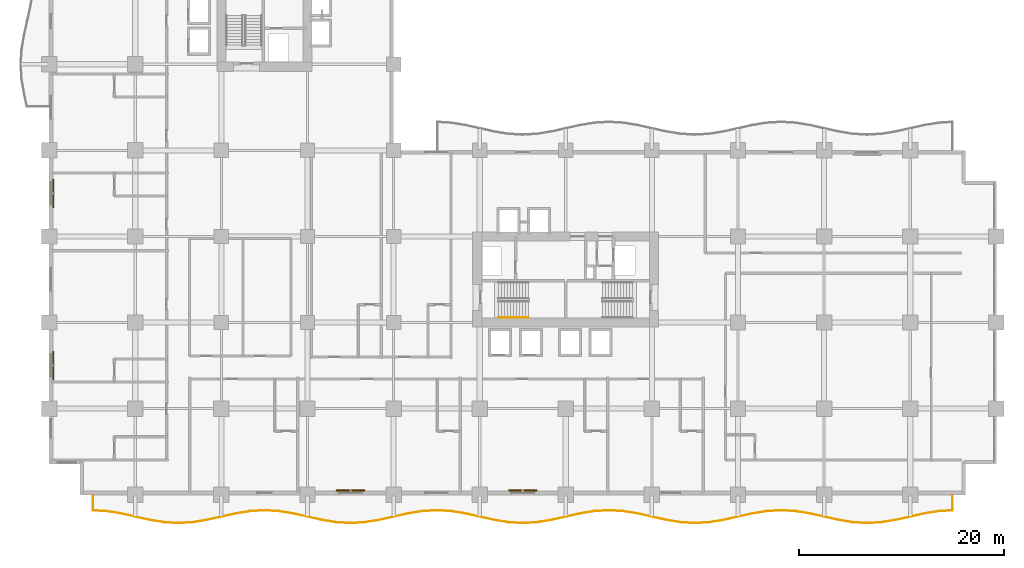
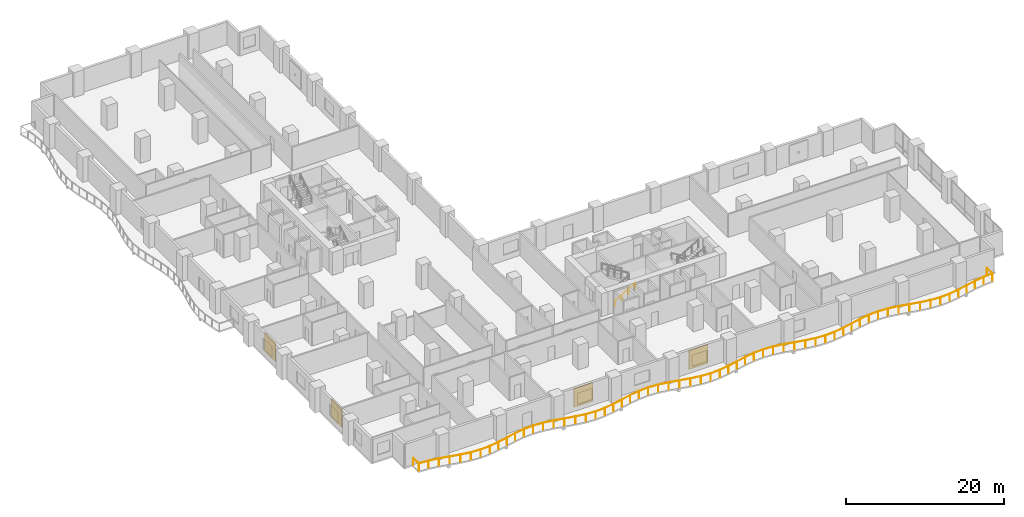
# One storey, part 24 of 27: 4 shading devices, 2 railings.
"""IFC4 building model written with IfcOpenShell, lengths in metres."""

from ifc_helpers import new_model, si_unit, direction, frame, origin, origin_2d, place, context, subcontext, project, spatial, rectangle, circle, extrude, material, layer, layer_set, type_object, element, save


model = new_model("IFC4")

# Units and contexts
model_context = context("Model", 3, precision=1e-05, world=origin(), true_north=direction((0.0, 1.0)))
body_context = subcontext(model_context, "Body", "Model", "MODEL_VIEW")
ifc_project = project(units=[si_unit("LENGTHUNIT", "METRE"), si_unit("AREAUNIT", "SQUARE_METRE"), si_unit("VOLUMEUNIT", "CUBIC_METRE"), si_unit("PLANEANGLEUNIT", "RADIAN"), si_unit("MASSUNIT", "GRAM", prefix="KILO")], contexts=[model_context])

# Site, building, storey
site_placement = place(None, origin())
site = spatial("IfcSite", under=ifc_project, at=site_placement, CompositionType="ELEMENT")
building_placement = place(site_placement, origin())
building = spatial("IfcBuilding", under=site, at=building_placement, Name="Koriwani Terraces Tower", CompositionType="ELEMENT")
storey_placement = place(building_placement, frame((0.0, 0.0, 70.0)))
storey = spatial("IfcBuildingStorey", under=building, at=storey_placement, Name="L16", CompositionType="ELEMENT", Elevation=70.0)

# Railings
ifc_material_1 = material(Name="Steel ASTM A572 Grade 50", Category="steel")
railing_type_1 = type_object("IfcRailingType", Name="GUARD_BALUSTRADE_1150", PredefinedType="BALUSTRADE", material=ifc_material_1)
railing_1_placement = place(storey_placement, frame((4.280029296875, -0.080078125, 0.0)))
element("IfcRailing", 1, at=railing_1_placement, inside=storey, type_object=railing_type_1, Name="L16 Balcony Perimeter Safety Balustrade (S)", PredefinedType="BALUSTRADE", context=body_context, shape_type="SweptSolid", body=[
    extrude(circle(Radius=0.02392578125, at=origin_2d()), frame((0.0, 0.0, 1.1259765625), z_axis=(0.0, -1.0, 0.0), x_axis=(1.0, 0.0, 0.0)), (0.0, 0.0, 1.0), 1.444580078125),
    extrude(circle(Radius=0.02392578125, at=origin_2d()), frame((0.0, -1.444580078125, 1.1259765625), z_axis=(0.998211199042, -0.059786303672, 0.0), x_axis=(0.059786303672, 0.998211199042, 0.0)), (0.0, 0.0, 1.0), 1.331298828125),
    extrude(circle(Radius=0.02392578125, at=origin_2d()), frame((1.328857421875, -1.524169921875, 1.1259765625), z_axis=(0.986916749742, -0.161230670401, 0.0), x_axis=(0.161230670401, 0.986916749742, 0.0)), (0.0, 0.0, 1.0), 1.4248046875),
    extrude(circle(Radius=0.02392578125, at=origin_2d()), frame((2.735107421875, -1.75390625, 1.1259765625), z_axis=(0.975982393728, -0.217849413893, 0.0), x_axis=(0.217849413893, 0.975982393728, 0.0)), (0.0, 0.0, 1.0), 2.868896484375),
    extrude(circle(Radius=0.02392578125, at=origin_2d()), frame((5.53515625, -2.37890625, 1.1259765625), z_axis=(0.986907622111, -0.161286532042, 0.0), x_axis=(0.161286532042, 0.986907622111, 0.0)), (0.0, 0.0, 1.0), 1.412353515625),
    extrude(circle(Radius=0.02392578125, at=origin_2d()), frame((6.928955078125, -2.606689453125, 1.1259765625), z_axis=(0.998214050326, -0.059738678687, 0.0), x_axis=(0.059738678687, 0.998214050326, 0.0)), (0.0, 0.0, 1.0), 1.3935546875),
    extrude(circle(Radius=0.02392578125, at=origin_2d()), frame((8.320068359375, -2.68994140625, 1.1259765625), z_axis=(0.998214050326, 0.059738678687, 0.0), x_axis=(-0.059738678687, 0.998214050326, 0.0)), (0.0, 0.0, 1.0), 1.3935546875),
    extrude(circle(Radius=0.02392578125, at=origin_2d()), frame((9.711181640625, -2.606689453125, 1.1259765625), z_axis=(0.986903124066, 0.16131405304, 0.0), x_axis=(-0.16131405304, 0.986903124066, 0.0)), (0.0, 0.0, 1.0), 1.412109375),
    extrude(circle(Radius=0.02392578125, at=origin_2d()), frame((11.104736328125, -2.37890625, 1.1259765625), z_axis=(0.975982393728, 0.217849413893, 0.0), x_axis=(-0.217849413893, 0.975982393728, 0.0)), (0.0, 0.0, 1.0), 2.868896484375),
    extrude(circle(Radius=0.02392578125, at=origin_2d()), frame((13.90478515625, -1.75390625, 1.1259765625), z_axis=(0.986921202645, 0.161203411159, 0.0), x_axis=(-0.161203411159, 0.986921202645, 0.0)), (0.0, 0.0, 1.0), 1.425048828125),
    extrude(circle(Radius=0.02392578125, at=origin_2d()), frame((15.311279296875, -1.524169921875, 1.1259765625), z_axis=(0.998217235442, 0.059685432622, 0.0), x_axis=(-0.059685432622, 0.998217235442, 0.0)), (0.0, 0.0, 1.0), 1.4111328125),
    extrude(circle(Radius=0.02392578125, at=origin_2d()), frame((16.719970703125, -1.43994140625, 1.1259765625), z_axis=(0.998217235442, -0.059685432622, 0.0), x_axis=(0.059685432622, 0.998217235442, 0.0)), (0.0, 0.0, 1.0), 1.4111328125),
    extrude(circle(Radius=0.02392578125, at=origin_2d()), frame((18.128662109375, -1.524169921875, 1.1259765625), z_axis=(0.986921202645, -0.161203411159, 0.0), x_axis=(0.161203411159, 0.986921202645, 0.0)), (0.0, 0.0, 1.0), 1.425048828125),
    extrude(circle(Radius=0.02392578125, at=origin_2d()), frame((19.53515625, -1.75390625, 1.1259765625), z_axis=(0.975982393728, -0.217849413893, 0.0), x_axis=(0.217849413893, 0.975982393728, 0.0)), (0.0, 0.0, 1.0), 2.868896484375),
    extrude(circle(Radius=0.02392578125, at=origin_2d()), frame((22.335205078125, -2.37890625, 1.1259765625), z_axis=(0.986903124066, -0.16131405304, 0.0), x_axis=(0.16131405304, 0.986903124066, 0.0)), (0.0, 0.0, 1.0), 1.412109375),
    extrude(circle(Radius=0.02392578125, at=origin_2d()), frame((23.728759765625, -2.606689453125, 1.1259765625), z_axis=(0.998214050326, -0.059738678687, 0.0), x_axis=(0.059738678687, 0.998214050326, 0.0)), (0.0, 0.0, 1.0), 1.3935546875),
    extrude(circle(Radius=0.02392578125, at=origin_2d()), frame((25.119873046875, -2.68994140625, 1.1259765625), z_axis=(0.998214050326, 0.059738678687, 0.0), x_axis=(-0.059738678687, 0.998214050326, 0.0)), (0.0, 0.0, 1.0), 1.3935546875),
    extrude(circle(Radius=0.02392578125, at=origin_2d()), frame((26.510986328125, -2.606689453125, 1.1259765625), z_axis=(0.986907622111, 0.161286532042, 0.0), x_axis=(-0.161286532042, 0.986907622111, 0.0)), (0.0, 0.0, 1.0), 1.412353515625),
    extrude(circle(Radius=0.02392578125, at=origin_2d()), frame((27.90478515625, -2.37890625, 1.1259765625), z_axis=(0.975982393728, 0.217849413893, 0.0), x_axis=(-0.217849413893, 0.975982393728, 0.0)), (0.0, 0.0, 1.0), 2.868896484375),
    extrude(circle(Radius=0.02392578125, at=origin_2d()), frame((30.704833984375, -1.75390625, 1.1259765625), z_axis=(0.986916749742, 0.161230670401, 0.0), x_axis=(-0.161230670401, 0.986916749742, 0.0)), (0.0, 0.0, 1.0), 1.4248046875),
    extrude(circle(Radius=0.02392578125, at=origin_2d()), frame((32.111083984375, -1.524169921875, 1.1259765625), z_axis=(0.998217851573, 0.059675127152, 0.0), x_axis=(-0.059675127152, 0.998217851573, 0.0)), (0.0, 0.0, 1.0), 1.411376953125),
    extrude(circle(Radius=0.02392578125, at=origin_2d()), frame((33.52001953125, -1.43994140625, 1.1259765625), z_axis=(0.998217235442, -0.059685432622, 0.0), x_axis=(0.059685432622, 0.998217235442, 0.0)), (0.0, 0.0, 1.0), 1.4111328125),
    extrude(circle(Radius=0.02392578125, at=origin_2d()), frame((34.9287109375, -1.524169921875, 1.1259765625), z_axis=(0.986921202645, -0.161203411159, 0.0), x_axis=(0.161203411159, 0.986921202645, 0.0)), (0.0, 0.0, 1.0), 1.425048828125),
    extrude(circle(Radius=0.02392578125, at=origin_2d()), frame((36.335205078125, -1.75390625, 1.1259765625), z_axis=(0.975982393728, -0.217849413893, 0.0), x_axis=(0.217849413893, 0.975982393728, 0.0)), (0.0, 0.0, 1.0), 2.868896484375),
    extrude(circle(Radius=0.02392578125, at=origin_2d()), frame((39.13525390625, -2.37890625, 1.1259765625), z_axis=(0.986903124066, -0.16131405304, 0.0), x_axis=(0.16131405304, 0.986903124066, 0.0)), (0.0, 0.0, 1.0), 1.412109375),
    extrude(circle(Radius=0.02392578125, at=origin_2d()), frame((40.52880859375, -2.606689453125, 1.1259765625), z_axis=(0.998214050326, -0.059738678687, 0.0), x_axis=(0.059738678687, 0.998214050326, 0.0)), (0.0, 0.0, 1.0), 1.3935546875),
    extrude(circle(Radius=0.02392578125, at=origin_2d()), frame((41.919921875, -2.68994140625, 1.1259765625), z_axis=(0.998214050326, 0.059738678687, 0.0), x_axis=(-0.059738678687, 0.998214050326, 0.0)), (0.0, 0.0, 1.0), 1.3935546875),
    extrude(circle(Radius=0.02392578125, at=origin_2d()), frame((43.31103515625, -2.606689453125, 1.1259765625), z_axis=(0.986907622111, 0.161286532042, 0.0), x_axis=(-0.161286532042, 0.986907622111, 0.0)), (0.0, 0.0, 1.0), 1.412353515625),
    extrude(circle(Radius=0.02392578125, at=origin_2d()), frame((44.704833984375, -2.37890625, 1.1259765625), z_axis=(0.975982393728, 0.217849413893, 0.0), x_axis=(-0.217849413893, 0.975982393728, 0.0)), (0.0, 0.0, 1.0), 2.868896484375),
    extrude(circle(Radius=0.02392578125, at=origin_2d()), frame((47.5048828125, -1.75390625, 1.1259765625), z_axis=(0.986916749742, 0.161230670401, 0.0), x_axis=(-0.161230670401, 0.986916749742, 0.0)), (0.0, 0.0, 1.0), 1.4248046875),
    extrude(circle(Radius=0.02392578125, at=origin_2d()), frame((48.9111328125, -1.524169921875, 1.1259765625), z_axis=(0.998217851573, 0.059675127152, 0.0), x_axis=(-0.059675127152, 0.998217851573, 0.0)), (0.0, 0.0, 1.0), 1.411376953125),
    extrude(circle(Radius=0.02392578125, at=origin_2d()), frame((50.320068359375, -1.43994140625, 1.1259765625), z_axis=(0.998217235442, -0.059685432622, 0.0), x_axis=(0.059685432622, 0.998217235442, 0.0)), (0.0, 0.0, 1.0), 1.4111328125),
    extrude(circle(Radius=0.02392578125, at=origin_2d()), frame((51.728759765625, -1.524169921875, 1.1259765625), z_axis=(0.986921202645, -0.161203411159, 0.0), x_axis=(0.161203411159, 0.986921202645, 0.0)), (0.0, 0.0, 1.0), 1.425048828125),
    extrude(circle(Radius=0.02392578125, at=origin_2d()), frame((53.13525390625, -1.75390625, 1.1259765625), z_axis=(0.97597835464, -0.217867508535, 0.0), x_axis=(0.217867508535, 0.97597835464, 0.0)), (0.0, 0.0, 1.0), 2.86865234375),
    extrude(circle(Radius=0.02392578125, at=origin_2d()), frame((55.93505859375, -2.37890625, 1.1259765625), z_axis=(0.986907622111, -0.161286532042, 0.0), x_axis=(0.161286532042, 0.986907622111, 0.0)), (0.0, 0.0, 1.0), 1.412353515625),
    extrude(circle(Radius=0.02392578125, at=origin_2d()), frame((57.328857421875, -2.606689453125, 1.1259765625), z_axis=(0.998214050326, -0.059738678687, 0.0), x_axis=(0.059738678687, 0.998214050326, 0.0)), (0.0, 0.0, 1.0), 1.3935546875),
    extrude(circle(Radius=0.02392578125, at=origin_2d()), frame((58.719970703125, -2.68994140625, 1.1259765625), z_axis=(0.998214050326, 0.059738678687, 0.0), x_axis=(-0.059738678687, 0.998214050326, 0.0)), (0.0, 0.0, 1.0), 1.3935546875),
    extrude(circle(Radius=0.02392578125, at=origin_2d()), frame((60.111083984375, -2.606689453125, 1.1259765625), z_axis=(0.986907622111, 0.161286532042, 0.0), x_axis=(-0.161286532042, 0.986907622111, 0.0)), (0.0, 0.0, 1.0), 1.412353515625),
    extrude(circle(Radius=0.02392578125, at=origin_2d()), frame((61.5048828125, -2.37890625, 1.1259765625), z_axis=(0.97597835464, 0.217867508535, 0.0), x_axis=(-0.217867508535, 0.97597835464, 0.0)), (0.0, 0.0, 1.0), 2.86865234375),
    extrude(circle(Radius=0.02392578125, at=origin_2d()), frame((64.3046875, -1.75390625, 1.1259765625), z_axis=(0.986921202645, 0.161203411159, 0.0), x_axis=(-0.161203411159, 0.986921202645, 0.0)), (0.0, 0.0, 1.0), 1.425048828125),
    extrude(circle(Radius=0.02392578125, at=origin_2d()), frame((65.711181640625, -1.524169921875, 1.1259765625), z_axis=(0.998217235442, 0.059685432622, 0.0), x_axis=(-0.059685432622, 0.998217235442, 0.0)), (0.0, 0.0, 1.0), 1.4111328125),
    extrude(circle(Radius=0.02392578125, at=origin_2d()), frame((67.119873046875, -1.43994140625, 1.1259765625), z_axis=(0.998217851573, -0.059675127152, 0.0), x_axis=(0.059675127152, 0.998217851573, 0.0)), (0.0, 0.0, 1.0), 1.411376953125),
    extrude(circle(Radius=0.02392578125, at=origin_2d()), frame((68.52880859375, -1.524169921875, 1.1259765625), z_axis=(0.986916749742, -0.161230670401, 0.0), x_axis=(0.161230670401, 0.986916749742, 0.0)), (0.0, 0.0, 1.0), 1.4248046875),
    extrude(circle(Radius=0.02392578125, at=origin_2d()), frame((69.93505859375, -1.75390625, 1.1259765625), z_axis=(0.975982393728, -0.217849413893, 0.0), x_axis=(0.217849413893, 0.975982393728, 0.0)), (0.0, 0.0, 1.0), 2.868896484375),
    extrude(circle(Radius=0.02392578125, at=origin_2d()), frame((72.735107421875, -2.37890625, 1.1259765625), z_axis=(0.986907622111, -0.161286532042, 0.0), x_axis=(0.161286532042, 0.986907622111, 0.0)), (0.0, 0.0, 1.0), 1.412353515625),
    extrude(circle(Radius=0.02392578125, at=origin_2d()), frame((74.12890625, -2.606689453125, 1.1259765625), z_axis=(0.998214050326, -0.059738678687, 0.0), x_axis=(0.059738678687, 0.998214050326, 0.0)), (0.0, 0.0, 1.0), 1.3935546875),
    extrude(circle(Radius=0.02392578125, at=origin_2d()), frame((75.52001953125, -2.68994140625, 1.1259765625), z_axis=(0.998214050326, 0.059738678687, 0.0), x_axis=(-0.059738678687, 0.998214050326, 0.0)), (0.0, 0.0, 1.0), 1.3935546875),
    extrude(circle(Radius=0.02392578125, at=origin_2d()), frame((76.9111328125, -2.606689453125, 1.1259765625), z_axis=(0.986903124066, 0.16131405304, 0.0), x_axis=(-0.16131405304, 0.986903124066, 0.0)), (0.0, 0.0, 1.0), 1.412109375),
    extrude(circle(Radius=0.02392578125, at=origin_2d()), frame((78.3046875, -2.37890625, 1.1259765625), z_axis=(0.975982393728, 0.217849413893, 0.0), x_axis=(-0.217849413893, 0.975982393728, 0.0)), (0.0, 0.0, 1.0), 2.868896484375),
    extrude(circle(Radius=0.02392578125, at=origin_2d()), frame((81.104736328125, -1.75390625, 1.1259765625), z_axis=(0.986921202645, 0.161203411159, 0.0), x_axis=(-0.161203411159, 0.986921202645, 0.0)), (0.0, 0.0, 1.0), 1.425048828125),
    extrude(circle(Radius=0.02392578125, at=origin_2d()), frame((82.51123046875, -1.524169921875, 1.1259765625), z_axis=(0.998211199042, 0.059786303672, 0.0), x_axis=(-0.059786303672, 0.998211199042, 0.0)), (0.0, 0.0, 1.0), 1.331298828125),
    extrude(circle(Radius=0.02392578125, at=origin_2d()), frame((83.840087890625, -1.444580078125, 1.1259765625), z_axis=(0.0, 1.0, 0.0), x_axis=(-1.0, 0.0, 0.0)), (0.0, 0.0, 1.0), 1.444580078125),
    extrude(circle(Radius=0.02099609375, at=origin_2d()), origin(), (0.0, 0.0, 1.0), 1.101806640625),
    extrude(circle(Radius=0.02099609375, at=origin_2d()), frame((0.0, -1.444580078125, 0.0)), (0.0, 0.0, 1.0), 1.101806640625),
    extrude(circle(Radius=0.02099609375, at=origin_2d()), frame((1.328857421875, -1.524169921875, 0.0)), (0.0, 0.0, 1.0), 1.101806640625),
    extrude(circle(Radius=0.02099609375, at=origin_2d()), frame((2.735107421875, -1.75390625, 0.0)), (0.0, 0.0, 1.0), 1.101806640625),
    extrude(circle(Radius=0.02099609375, at=origin_2d()), frame((4.13525390625, -2.06640625, 0.0)), (0.0, 0.0, 1.0), 1.101806640625),
    extrude(circle(Radius=0.02099609375, at=origin_2d()), frame((5.53515625, -2.37890625, 0.0)), (0.0, 0.0, 1.0), 1.101806640625),
    extrude(circle(Radius=0.02099609375, at=origin_2d()), frame((6.928955078125, -2.606689453125, 0.0)), (0.0, 0.0, 1.0), 1.101806640625),
    extrude(circle(Radius=0.02099609375, at=origin_2d()), frame((8.320068359375, -2.68994140625, 0.0)), (0.0, 0.0, 1.0), 1.101806640625),
    extrude(circle(Radius=0.02099609375, at=origin_2d()), frame((9.711181640625, -2.606689453125, 0.0)), (0.0, 0.0, 1.0), 1.101806640625),
    extrude(circle(Radius=0.02099609375, at=origin_2d()), frame((11.104736328125, -2.37890625, 0.0)), (0.0, 0.0, 1.0), 1.101806640625),
    extrude(circle(Radius=0.02099609375, at=origin_2d()), frame((12.5048828125, -2.06640625, 0.0)), (0.0, 0.0, 1.0), 1.101806640625),
    extrude(circle(Radius=0.02099609375, at=origin_2d()), frame((13.90478515625, -1.75390625, 0.0)), (0.0, 0.0, 1.0), 1.101806640625),
    extrude(circle(Radius=0.02099609375, at=origin_2d()), frame((15.311279296875, -1.524169921875, 0.0)), (0.0, 0.0, 1.0), 1.101806640625),
    extrude(circle(Radius=0.02099609375, at=origin_2d()), frame((16.719970703125, -1.43994140625, 0.0)), (0.0, 0.0, 1.0), 1.101806640625),
    extrude(circle(Radius=0.02099609375, at=origin_2d()), frame((18.128662109375, -1.524169921875, 0.0)), (0.0, 0.0, 1.0), 1.101806640625),
    extrude(circle(Radius=0.02099609375, at=origin_2d()), frame((19.53515625, -1.75390625, 0.0)), (0.0, 0.0, 1.0), 1.101806640625),
    extrude(circle(Radius=0.02099609375, at=origin_2d()), frame((20.93505859375, -2.06640625, 0.0)), (0.0, 0.0, 1.0), 1.101806640625),
    extrude(circle(Radius=0.02099609375, at=origin_2d()), frame((22.335205078125, -2.37890625, 0.0)), (0.0, 0.0, 1.0), 1.101806640625),
    extrude(circle(Radius=0.02099609375, at=origin_2d()), frame((23.728759765625, -2.606689453125, 0.0)), (0.0, 0.0, 1.0), 1.101806640625),
    extrude(circle(Radius=0.02099609375, at=origin_2d()), frame((25.119873046875, -2.68994140625, 0.0)), (0.0, 0.0, 1.0), 1.101806640625),
    extrude(circle(Radius=0.02099609375, at=origin_2d()), frame((26.510986328125, -2.606689453125, 0.0)), (0.0, 0.0, 1.0), 1.101806640625),
    extrude(circle(Radius=0.02099609375, at=origin_2d()), frame((27.90478515625, -2.37890625, 0.0)), (0.0, 0.0, 1.0), 1.101806640625),
    extrude(circle(Radius=0.02099609375, at=origin_2d()), frame((29.3046875, -2.06640625, 0.0)), (0.0, 0.0, 1.0), 1.101806640625),
    extrude(circle(Radius=0.02099609375, at=origin_2d()), frame((30.704833984375, -1.75390625, 0.0)), (0.0, 0.0, 1.0), 1.101806640625),
    extrude(circle(Radius=0.02099609375, at=origin_2d()), frame((32.111083984375, -1.524169921875, 0.0)), (0.0, 0.0, 1.0), 1.101806640625),
    extrude(circle(Radius=0.02099609375, at=origin_2d()), frame((33.52001953125, -1.43994140625, 0.0)), (0.0, 0.0, 1.0), 1.101806640625),
    extrude(circle(Radius=0.02099609375, at=origin_2d()), frame((34.9287109375, -1.524169921875, 0.0)), (0.0, 0.0, 1.0), 1.101806640625),
    extrude(circle(Radius=0.02099609375, at=origin_2d()), frame((36.335205078125, -1.75390625, 0.0)), (0.0, 0.0, 1.0), 1.101806640625),
    extrude(circle(Radius=0.02099609375, at=origin_2d()), frame((37.7353515625, -2.06640625, 0.0)), (0.0, 0.0, 1.0), 1.101806640625),
    extrude(circle(Radius=0.02099609375, at=origin_2d()), frame((39.13525390625, -2.37890625, 0.0)), (0.0, 0.0, 1.0), 1.101806640625),
    extrude(circle(Radius=0.02099609375, at=origin_2d()), frame((40.52880859375, -2.606689453125, 0.0)), (0.0, 0.0, 1.0), 1.101806640625),
    extrude(circle(Radius=0.02099609375, at=origin_2d()), frame((41.919921875, -2.68994140625, 0.0)), (0.0, 0.0, 1.0), 1.101806640625),
    extrude(circle(Radius=0.02099609375, at=origin_2d()), frame((43.31103515625, -2.606689453125, 0.0)), (0.0, 0.0, 1.0), 1.101806640625),
    extrude(circle(Radius=0.02099609375, at=origin_2d()), frame((44.704833984375, -2.37890625, 0.0)), (0.0, 0.0, 1.0), 1.101806640625),
    extrude(circle(Radius=0.02099609375, at=origin_2d()), frame((46.10498046875, -2.06640625, 0.0)), (0.0, 0.0, 1.0), 1.101806640625),
    extrude(circle(Radius=0.02099609375, at=origin_2d()), frame((47.5048828125, -1.75390625, 0.0)), (0.0, 0.0, 1.0), 1.101806640625),
    extrude(circle(Radius=0.02099609375, at=origin_2d()), frame((48.9111328125, -1.524169921875, 0.0)), (0.0, 0.0, 1.0), 1.101806640625),
    extrude(circle(Radius=0.02099609375, at=origin_2d()), frame((50.320068359375, -1.43994140625, 0.0)), (0.0, 0.0, 1.0), 1.101806640625),
    extrude(circle(Radius=0.02099609375, at=origin_2d()), frame((51.728759765625, -1.524169921875, 0.0)), (0.0, 0.0, 1.0), 1.101806640625),
    extrude(circle(Radius=0.02099609375, at=origin_2d()), frame((53.13525390625, -1.75390625, 0.0)), (0.0, 0.0, 1.0), 1.101806640625),
    extrude(circle(Radius=0.02099609375, at=origin_2d()), frame((54.53515625, -2.06640625, 0.0)), (0.0, 0.0, 1.0), 1.101806640625),
    extrude(circle(Radius=0.02099609375, at=origin_2d()), frame((55.93505859375, -2.37890625, 0.0)), (0.0, 0.0, 1.0), 1.101806640625),
    extrude(circle(Radius=0.02099609375, at=origin_2d()), frame((57.328857421875, -2.606689453125, 0.0)), (0.0, 0.0, 1.0), 1.101806640625),
    extrude(circle(Radius=0.02099609375, at=origin_2d()), frame((58.719970703125, -2.68994140625, 0.0)), (0.0, 0.0, 1.0), 1.101806640625),
    extrude(circle(Radius=0.02099609375, at=origin_2d()), frame((60.111083984375, -2.606689453125, 0.0)), (0.0, 0.0, 1.0), 1.101806640625),
    extrude(circle(Radius=0.02099609375, at=origin_2d()), frame((61.5048828125, -2.37890625, 0.0)), (0.0, 0.0, 1.0), 1.101806640625),
    extrude(circle(Radius=0.02099609375, at=origin_2d()), frame((62.90478515625, -2.06640625, 0.0)), (0.0, 0.0, 1.0), 1.101806640625),
    extrude(circle(Radius=0.02099609375, at=origin_2d()), frame((64.3046875, -1.75390625, 0.0)), (0.0, 0.0, 1.0), 1.101806640625),
    extrude(circle(Radius=0.02099609375, at=origin_2d()), frame((65.711181640625, -1.524169921875, 0.0)), (0.0, 0.0, 1.0), 1.101806640625),
    extrude(circle(Radius=0.02099609375, at=origin_2d()), frame((67.119873046875, -1.43994140625, 0.0)), (0.0, 0.0, 1.0), 1.101806640625),
    extrude(circle(Radius=0.02099609375, at=origin_2d()), frame((68.52880859375, -1.524169921875, 0.0)), (0.0, 0.0, 1.0), 1.101806640625),
    extrude(circle(Radius=0.02099609375, at=origin_2d()), frame((69.93505859375, -1.75390625, 0.0)), (0.0, 0.0, 1.0), 1.101806640625),
    extrude(circle(Radius=0.02099609375, at=origin_2d()), frame((71.3349609375, -2.06640625, 0.0)), (0.0, 0.0, 1.0), 1.101806640625),
    extrude(circle(Radius=0.02099609375, at=origin_2d()), frame((72.735107421875, -2.37890625, 0.0)), (0.0, 0.0, 1.0), 1.101806640625),
    extrude(circle(Radius=0.02099609375, at=origin_2d()), frame((74.12890625, -2.606689453125, 0.0)), (0.0, 0.0, 1.0), 1.101806640625),
    extrude(circle(Radius=0.02099609375, at=origin_2d()), frame((75.52001953125, -2.68994140625, 0.0)), (0.0, 0.0, 1.0), 1.101806640625),
    extrude(circle(Radius=0.02099609375, at=origin_2d()), frame((76.9111328125, -2.606689453125, 0.0)), (0.0, 0.0, 1.0), 1.101806640625),
    extrude(circle(Radius=0.02099609375, at=origin_2d()), frame((78.3046875, -2.37890625, 0.0)), (0.0, 0.0, 1.0), 1.101806640625),
    extrude(circle(Radius=0.02099609375, at=origin_2d()), frame((79.70458984375, -2.06640625, 0.0)), (0.0, 0.0, 1.0), 1.101806640625),
    extrude(circle(Radius=0.02099609375, at=origin_2d()), frame((81.104736328125, -1.75390625, 0.0)), (0.0, 0.0, 1.0), 1.101806640625),
    extrude(circle(Radius=0.02099609375, at=origin_2d()), frame((82.51123046875, -1.524169921875, 0.0)), (0.0, 0.0, 1.0), 1.101806640625),
    extrude(circle(Radius=0.02099609375, at=origin_2d()), frame((83.840087890625, -1.444580078125, 0.0)), (0.0, 0.0, 1.0), 1.101806640625),
    extrude(circle(Radius=0.02099609375, at=origin_2d()), frame((83.840087890625, 0.0, 0.0)), (0.0, 0.0, 1.0), 1.101806640625),
])
railing_type_2 = type_object("IfcRailingType", Name="HANDRAIL_STAIR_920", PredefinedType="HANDRAIL", material=ifc_material_1)
railing_2_placement = place(storey_placement, frame((43.85009765625, 17.300048828125, 0.172607421875)))
element("IfcRailing", 2, at=railing_2_placement, inside=storey, type_object=railing_type_2, Name="L16 ST-E1 stair handrail 1", PredefinedType="HANDRAIL", context=body_context, shape_type="SweptSolid", body=[
    extrude(circle(Radius=0.02392578125, at=origin_2d()), frame((0.0, 0.0, 0.8759765625), z_axis=(0.859141464434, 0.0, 0.511738159696), x_axis=(0.0, 1.0, 0.0)), (0.0, 0.0, 1.0), 3.375244140625),
    extrude(circle(Radius=0.02099609375, at=origin_2d()), origin(), (0.0, 0.0, 1.0), 0.851806640625),
    extrude(circle(Radius=0.02099609375, at=origin_2d()), frame((0.966552734375, 0.0, 0.57568359375)), (0.0, 0.0, 1.0), 0.851806640625),
    extrude(circle(Radius=0.02099609375, at=origin_2d()), frame((1.933349609375, 0.0, 1.151611328125)), (0.0, 0.0, 1.0), 0.851806640625),
    extrude(circle(Radius=0.02099609375, at=origin_2d()), frame((2.89990234375, 0.0, 1.727294921875)), (0.0, 0.0, 1.0), 0.851806640625),
])

# Shading devices
ifc_material_2 = material(Name="Extruded Terracotta Clay", Category="masonry")
ifc_layer = layer(ifc_material_2, 0.1201171875, Name="Extruded Terracotta Clay")
ifc_layer_set = layer_set([ifc_layer], Name="Extruded Terracotta Clay")
shading_device_type = type_object("IfcShadingDeviceType", Name="TERRACOTTA_BAGUETTE_SCREEN_2800", PredefinedType="USERDEFINED", material=ifc_layer_set)
for number, where, z_axis, x_axis, name in (
    (3, (0.405029296875, 12.60009765625, 0.324951171875), (0.0, 0.0, 1.0), (0.0, 1.0, 0.0), "L16 Extruded Terracotta Baguette Screen (W-3)"),
    (4, (0.405029296875, 29.39990234375, 0.324951171875), (0.0, 0.0, 1.0), (0.0, 1.0, 0.0), "L16 Extruded Terracotta Baguette Screen (W-9)"),
    (5, (29.39990234375, 0.405029296875, 0.324951171875), (0.0, 0.0, 1.0), (-1.0, 0.0, 0.0), "L16 Extruded Terracotta Baguette Screen (S-9)"),
    (6, (46.199951171875, 0.405029296875, 0.324951171875), (0.0, 0.0, 1.0), (-1.0, 0.0, 0.0), "L16 Extruded Terracotta Baguette Screen (S-15)"),
):
    element("IfcShadingDevice", number, at=place(storey_placement, frame(where, z_axis=z_axis, x_axis=x_axis)), inside=storey, type_object=shading_device_type, Name=name, ObjectType="BAGUETTE", PredefinedType="USERDEFINED", context=body_context, shape_type="SweptSolid", body=[
        extrude(rectangle(XDim=2.760009765625, YDim=0.1201171875, at=origin_2d()), origin(), (0.0, 0.0, 1.0), 2.89990234375),
    ])

save(model, "model.ifc")
